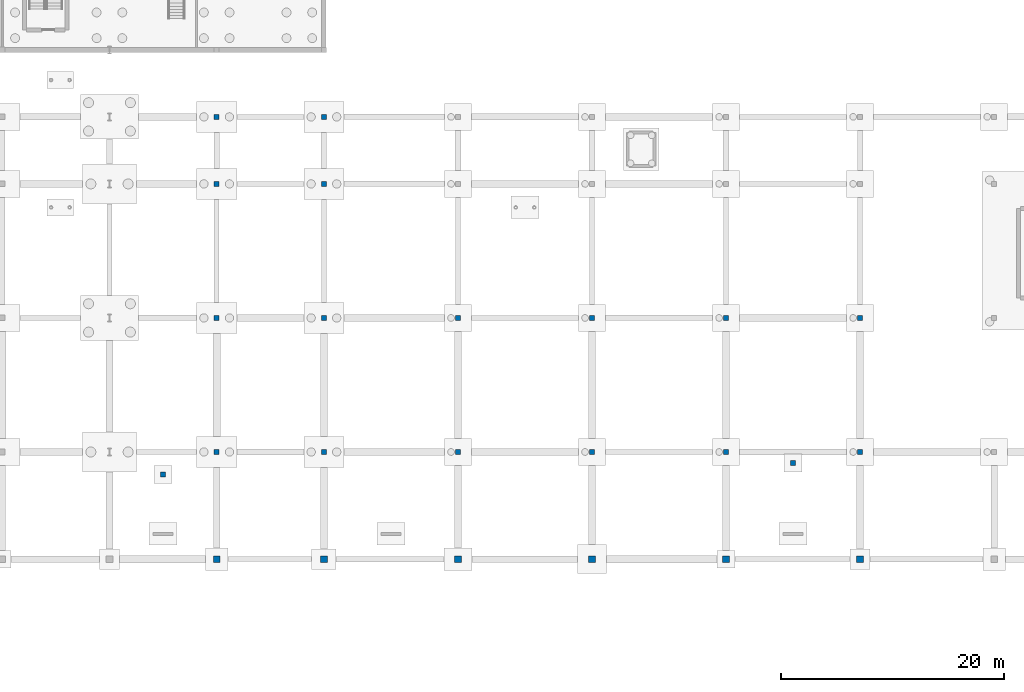
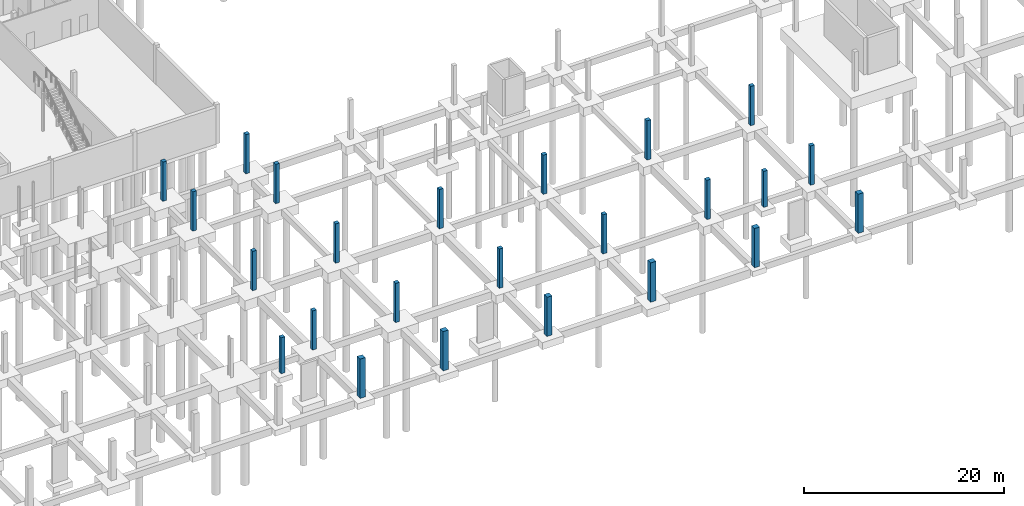
# One storey, part 11 of 31: 24 columns.
"""IFC4 building model written with IfcOpenShell, lengths in metres."""

from ifc_helpers import new_model, si_unit, direction, frame, origin, origin_2d, place, context, subcontext, project, spatial, rectangle, extrude, material, material_profile, profile_set, type_object, element, save


model = new_model("IFC4")

# Units and contexts
model_context = context("Model", 3, precision=1e-05, world=origin(), true_north=direction((0.0, 1.0)))
body_context = subcontext(model_context, "Body", "Model", "MODEL_VIEW")
ifc_project = project(units=[si_unit("LENGTHUNIT", "METRE"), si_unit("AREAUNIT", "SQUARE_METRE"), si_unit("VOLUMEUNIT", "CUBIC_METRE"), si_unit("PLANEANGLEUNIT", "RADIAN"), si_unit("MASSUNIT", "GRAM", prefix="KILO")], contexts=[model_context])

# Site, building, storey
site_placement = place(None, origin())
site = spatial("IfcSite", under=ifc_project, at=site_placement, CompositionType="ELEMENT")
building_placement = place(site_placement, origin())
building = spatial("IfcBuilding", under=site, at=building_placement, Name="Merenkruunu Market Hall", CompositionType="ELEMENT")
storey_placement = place(building_placement, frame((0.0, 0.0, -4.800048828125)))
storey = spatial("IfcBuildingStorey", under=building, at=storey_placement, Name="B1", CompositionType="ELEMENT", Elevation=-4.800048828125)

# Columns
ifc_material = material(Name="Concrete C35/45", Category="concrete")
ifc_material_profile_1 = material_profile(ifc_material, rectangle(XDim=0.60009765625, YDim=0.60009765625, at=origin_2d()), Name="RC 600x600")
ifc_profile_set_1 = profile_set([ifc_material_profile_1], Name="Concrete C35/45")
column_type_1 = type_object("IfcColumnType", Name="Structural Column C17", PredefinedType="COLUMN", material=ifc_profile_set_1)
for number, where, z_axis, x_axis, name in (
    (1, (67.199951171875, 6.0, 0.0), (0.0, 0.0, 1.0), (1.0, 0.0, 0.0), "COL-B1-H-02"),
    (2, (76.800048828125, 6.0, 0.0), (0.0, 0.0, 1.0), (1.0, 0.0, 0.0), "COL-B1-J-02"),
    (3, (88.800048828125, 6.0, 0.0), (0.0, 0.0, 1.0), (1.0, 0.0, 0.0), "COL-B1-K-02"),
    (4, (100.800048828125, 6.0, 0.0), (0.0, 0.0, 1.0), (1.0, 0.0, 0.0), "COL-B1-L-02"),
    (5, (112.800048828125, 6.0, 0.0), (0.0, 0.0, 1.0), (1.0, 0.0, 0.0), "COL-B1-M-02"),
    (6, (124.800048828125, 6.0, 0.0), (0.0, 0.0, 1.0), (1.0, 0.0, 0.0), "COL-B1-N-02"),
):
    element("IfcColumn", number, at=place(storey_placement, frame(where, z_axis=z_axis, x_axis=x_axis)), inside=storey, type_object=column_type_1, Name=name, PredefinedType="COLUMN", context=body_context, shape_type="SweptSolid", body=[
        extrude(rectangle(XDim=0.60009765625, YDim=0.60009765625, at=origin_2d()), origin(), (0.0, 0.0, 1.0), 4.800048828125),
    ])
ifc_material_profile_2 = material_profile(ifc_material, rectangle(XDim=0.449951171875, YDim=0.449951171875, at=origin_2d()), Name="RC 450x450")
ifc_profile_set_2 = profile_set([ifc_material_profile_2], Name="Concrete C35/45")
column_type_2 = type_object("IfcColumnType", Name="Structural Column C19", PredefinedType="COLUMN", material=ifc_profile_set_2)
for number, where, z_axis, x_axis, name in (
    (7, (67.199951171875, 15.60009765625, 0.0), (0.0, 0.0, 1.0), (1.0, 0.0, 0.0), "COL-B1-H-03"),
    (8, (67.199951171875, 27.60009765625, 0.0), (0.0, 0.0, 1.0), (1.0, 0.0, 0.0), "COL-B1-H-04"),
    (9, (67.199951171875, 39.60009765625, 0.0), (0.0, 0.0, 1.0), (1.0, 0.0, 0.0), "COL-B1-H-05"),
    (10, (67.199951171875, 45.60009765625, 0.0), (0.0, 0.0, 1.0), (1.0, 0.0, 0.0), "COL-B1-H-06"),
    (11, (76.800048828125, 15.60009765625, 0.0), (0.0, 0.0, 1.0), (1.0, 0.0, 0.0), "COL-B1-J-03"),
    (12, (76.800048828125, 27.60009765625, 0.0), (0.0, 0.0, 1.0), (1.0, 0.0, 0.0), "COL-B1-J-04"),
    (13, (76.800048828125, 39.60009765625, 0.0), (0.0, 0.0, 1.0), (1.0, 0.0, 0.0), "COL-B1-J-05"),
    (14, (76.800048828125, 45.60009765625, 0.0), (0.0, 0.0, 1.0), (1.0, 0.0, 0.0), "COL-B1-J-06"),
    (15, (88.800048828125, 15.60009765625, 0.0), (0.0, 0.0, 1.0), (1.0, 0.0, 0.0), "COL-B1-K-03"),
    (16, (88.800048828125, 27.60009765625, 0.0), (0.0, 0.0, 1.0), (1.0, 0.0, 0.0), "COL-B1-K-04"),
    (17, (100.800048828125, 15.60009765625, 0.0), (0.0, 0.0, 1.0), (1.0, 0.0, 0.0), "COL-B1-L-03"),
    (18, (100.800048828125, 27.60009765625, 0.0), (0.0, 0.0, 1.0), (1.0, 0.0, 0.0), "COL-B1-L-04"),
    (19, (112.800048828125, 15.60009765625, 0.0), (0.0, 0.0, 1.0), (1.0, 0.0, 0.0), "COL-B1-M-03"),
    (20, (112.800048828125, 27.60009765625, 0.0), (0.0, 0.0, 1.0), (1.0, 0.0, 0.0), "COL-B1-M-04"),
    (21, (124.800048828125, 15.60009765625, 0.0), (0.0, 0.0, 1.0), (1.0, 0.0, 0.0), "COL-B1-N-03"),
    (22, (124.800048828125, 27.60009765625, 0.0), (0.0, 0.0, 1.0), (1.0, 0.0, 0.0), "COL-B1-N-04"),
):
    element("IfcColumn", number, at=place(storey_placement, frame(where, z_axis=z_axis, x_axis=x_axis)), inside=storey, type_object=column_type_2, Name=name, PredefinedType="COLUMN", context=body_context, shape_type="SweptSolid", body=[
        extrude(rectangle(XDim=0.449951171875, YDim=0.449951171875, at=origin_2d()), origin(), (0.0, 0.0, 1.0), 4.800048828125),
    ])
for number, where, z_axis, x_axis, name in (
    (23, (62.39990234375, 13.60009765625, 0.0), (0.0, 0.0, 1.0), (1.0, 0.0, 0.0), "COL-APRONPIER-02"),
    (24, (118.800048828125, 14.60009765625, 0.0), (0.0, 0.0, 1.0), (1.0, 0.0, 0.0), "COL-APRONPIER-03"),
):
    element("IfcColumn", number, at=place(storey_placement, frame(where, z_axis=z_axis, x_axis=x_axis)), inside=storey, type_object=column_type_2, Name=name, PredefinedType="COLUMN", context=body_context, shape_type="SweptSolid", body=[
        extrude(rectangle(XDim=0.449951171875, YDim=0.449951171875, at=origin_2d()), origin(), (0.0, 0.0, 1.0), 4.400146484375),
    ])

save(model, "model.ifc")
